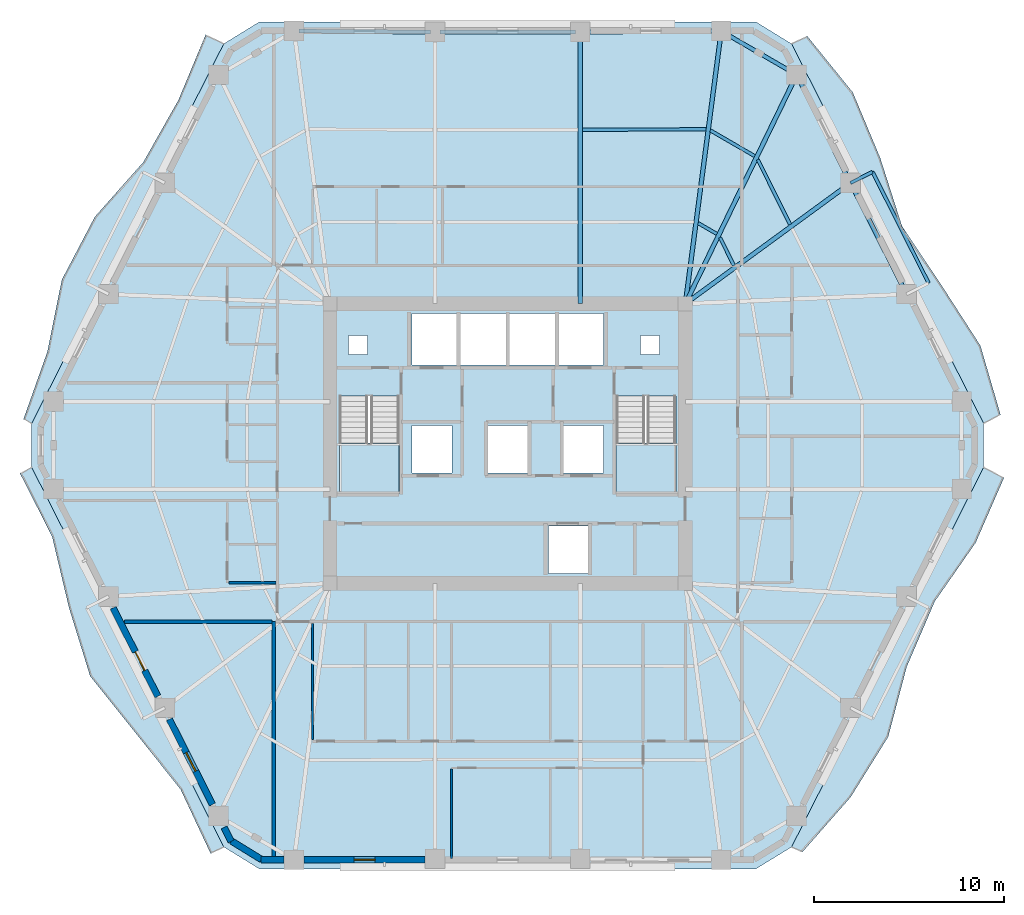
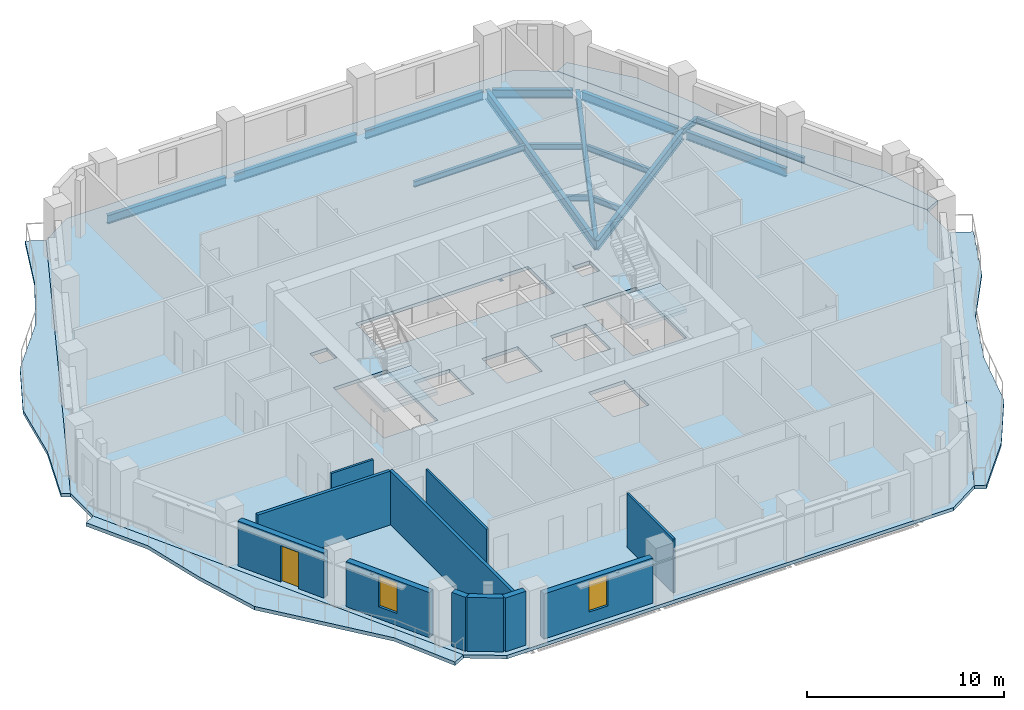
# One storey, part 3 of 12: 17 beams, 11 walls, 7 slabs, 2 windows, 1 door, 3 openings, 2 elements without a shape of their own.
"""IFC4 building model written with IfcOpenShell, lengths in metres."""

from ifc_helpers import new_model, si_unit, direction, frame, frame_2d, origin, origin_2d, place, context, subcontext, project, spatial, polyline, rectangle, i_section, outline, extrude, material, layer, layer_set, material_profile, profile_set, type_object, element, fill, aggregate, save


model = new_model("IFC4")

# Units and contexts
model_context = context("Model", 3, precision=1e-05, world=origin(), true_north=direction((0.0, 1.0)))
body_context = subcontext(model_context, "Body", "Model", "MODEL_VIEW")
ifc_project = project(units=[si_unit("LENGTHUNIT", "METRE"), si_unit("AREAUNIT", "SQUARE_METRE"), si_unit("VOLUMEUNIT", "CUBIC_METRE"), si_unit("PLANEANGLEUNIT", "RADIAN"), si_unit("MASSUNIT", "GRAM", prefix="KILO")], contexts=[model_context])

# Site, building, storey
site_placement = place(None, origin())
site = spatial("IfcSite", under=ifc_project, at=site_placement, CompositionType="ELEMENT")
building_placement = place(site_placement, origin())
building = spatial("IfcBuilding", under=site, at=building_placement, Name="Cinnabar Lancet Tower", CompositionType="ELEMENT")
storey_placement = place(building_placement, frame((0.0, 0.0, 123.25)))
storey = spatial("IfcBuildingStorey", under=building, at=storey_placement, Name="L32", CompositionType="ELEMENT", Elevation=123.25)

# Beams
ifc_material_1 = material(Name="Structural steel S355", Category="steel")
ifc_material_profile_1 = material_profile(ifc_material_1, i_section(OverallWidth=0.17138671875, OverallDepth=0.35498046875, WebThickness=0.00732421875, FlangeThickness=0.011474609375, FilletRadius=0.01025390625, at=origin_2d()), Name="UKB 356x171x51")
ifc_profile_set_1 = profile_set([ifc_material_profile_1], Name="Structural steel S355")
beam_type_1 = type_object("IfcBeamType", Name="STR-BM-JST-356", PredefinedType="JOIST", material=ifc_profile_set_1)
beam_1_placement = place(storey_placement, frame((47.300048828125, 37.455078125, -0.386962890625), z_axis=(-0.445116798807, 0.895472520751, 0.0), x_axis=(-0.895472520751, -0.445116798807, 0.0)))
element("IfcBeam", 1, at=beam_1_placement, inside=storey, type_object=beam_type_1, Name="L32 Secondary Floor Joist 29", PredefinedType="JOIST", context=body_context, shape_type="SweptSolid", body=[
    extrude(i_section(OverallWidth=0.17138671875, OverallDepth=0.35498046875, WebThickness=0.00732421875, FlangeThickness=0.011474609375, FilletRadius=0.01025390625, at=origin_2d()), origin(), (0.0, 0.0, 1.0), 3.8212890625),
])
beam_2_placement = place(storey_placement, frame((44.337890625, 35.2900390625, -0.386962890625), z_axis=(-0.445677136949, 0.895193772097, 0.0), x_axis=(-0.895193772097, -0.445677136949, 0.0)))
element("IfcBeam", 2, at=beam_2_placement, inside=storey, type_object=beam_type_1, Name="L32 Secondary Floor Joist 30", PredefinedType="JOIST", context=body_context, shape_type="SweptSolid", body=[
    extrude(i_section(OverallWidth=0.17138671875, OverallDepth=0.35498046875, WebThickness=0.00732421875, FlangeThickness=0.011474609375, FilletRadius=0.01025390625, at=origin_2d()), origin(), (0.0, 0.0, 1.0), 1.6533203125),
])
beam_3_placement = place(storey_placement, frame((45.43505859375, 41.06298828125, -0.386962890625), z_axis=(-0.865172906898, 0.501473669469, 0.0), x_axis=(-0.501473669469, -0.865172906898, 0.0)))
element("IfcBeam", 3, at=beam_3_placement, inside=storey, type_object=beam_type_1, Name="L32 Secondary Floor Joist 31", PredefinedType="JOIST", context=body_context, shape_type="SweptSolid", body=[
    extrude(i_section(OverallWidth=0.17138671875, OverallDepth=0.35498046875, WebThickness=0.00732421875, FlangeThickness=0.011474609375, FilletRadius=0.01025390625, at=origin_2d()), origin(), (0.0, 0.0, 1.0), 2.705810546875),
])
beam_4_placement = place(storey_placement, frame((43.43798828125, 36.9560546875, -0.386962890625), z_axis=(-0.865055308165, 0.501676503154, 0.0), x_axis=(-0.501676503154, -0.865055308165, 0.0)))
element("IfcBeam", 4, at=beam_4_placement, inside=storey, type_object=beam_type_1, Name="L32 Secondary Floor Joist 32", PredefinedType="JOIST", context=body_context, shape_type="SweptSolid", body=[
    extrude(i_section(OverallWidth=0.17138671875, OverallDepth=0.35498046875, WebThickness=0.00732421875, FlangeThickness=0.011474609375, FilletRadius=0.01025390625, at=origin_2d()), origin(), (0.0, 0.0, 1.0), 1.14208984375),
])
beam_5_placement = place(storey_placement, frame((42.8720703125, 42.48095703125, -0.386962890625), z_axis=(-0.999987991898, -0.004900618269, 0.0), x_axis=(0.004900618269, -0.999987991898, 0.0)))
element("IfcBeam", 5, at=beam_5_placement, inside=storey, type_object=beam_type_1, Name="L32 Secondary Floor Joist 33", PredefinedType="JOIST", context=body_context, shape_type="SweptSolid", body=[
    extrude(i_section(OverallWidth=0.17138671875, OverallDepth=0.35498046875, WebThickness=0.00732421875, FlangeThickness=0.011474609375, FilletRadius=0.01025390625, at=origin_2d()), origin(), (0.0, 0.0, 1.0), 6.526123046875),
])
ifc_material_2 = material(Name="Structural steel S355", Category="steel")
ifc_material_profile_2 = material_profile(ifc_material_2, i_section(OverallWidth=0.209228515625, OverallDepth=0.533203125, WebThickness=0.010009765625, FlangeThickness=0.015625, FilletRadius=0.0126953125, at=origin_2d()), Name="UKB 533x210x92")
ifc_profile_set_2 = profile_set([ifc_material_profile_2], Name="Structural steel S355")
beam_type_2 = type_object("IfcBeamType", Name="STR-BM-SPN-533", PredefinedType="SPANDREL", material=ifc_profile_set_2)
beam_6_placement = place(storey_placement, frame((53.339111328125, 33.9990234375, -0.47705078125), z_axis=(-0.450570325924, 0.892740937449, 0.0), x_axis=(-0.892740937449, -0.450570325924, 0.0)))
element("IfcBeam", 6, at=beam_6_placement, inside=storey, type_object=beam_type_2, Name="L32 Perimeter Spandrel 10", PredefinedType="SPANDREL", context=body_context, shape_type="SweptSolid", body=[
    extrude(i_section(OverallWidth=0.209228515625, OverallDepth=0.533203125, WebThickness=0.010009765625, FlangeThickness=0.015625, FilletRadius=0.0126953125, at=origin_2d()), origin(), (0.0, 0.0, 1.0), 6.07470703125),
])
beam_7_placement = place(storey_placement, frame((50.3779296875, 39.868896484375, -0.47705078125), z_axis=(-0.445501068635, 0.89528140707, 0.0), x_axis=(-0.89528140707, -0.445501068635, 0.0)))
element("IfcBeam", 7, at=beam_7_placement, inside=storey, type_object=beam_type_2, Name="L32 Perimeter Spandrel 11", PredefinedType="SPANDREL", context=body_context, shape_type="SweptSolid", body=[
    extrude(i_section(OverallWidth=0.209228515625, OverallDepth=0.533203125, WebThickness=0.010009765625, FlangeThickness=0.015625, FilletRadius=0.0126953125, at=origin_2d()), origin(), (0.0, 0.0, 1.0), 5.87646484375),
])
beam_8_placement = place(storey_placement, frame((47.43310546875, 45.47900390625, -0.47705078125), z_axis=(-0.865138129765, 0.5015336643, 0.0), x_axis=(-0.5015336643, -0.865138129765, 0.0)))
element("IfcBeam", 8, at=beam_8_placement, inside=storey, type_object=beam_type_2, Name="L32 Perimeter Spandrel 12", PredefinedType="SPANDREL", context=body_context, shape_type="SweptSolid", body=[
    extrude(i_section(OverallWidth=0.209228515625, OverallDepth=0.533203125, WebThickness=0.010009765625, FlangeThickness=0.015625, FilletRadius=0.0126953125, at=origin_2d()), origin(), (0.0, 0.0, 1.0), 4.10107421875),
])
beam_9_placement = place(storey_placement, frame((43.4189453125, 47.658935546875, -0.47705078125), z_axis=(-0.999975228682, -0.007038609338, 0.0), x_axis=(0.007038609338, -0.999975228682, 0.0)))
element("IfcBeam", 9, at=beam_9_placement, inside=storey, type_object=beam_type_2, Name="L32 Perimeter Spandrel 13", PredefinedType="SPANDREL", context=body_context, shape_type="SweptSolid", body=[
    extrude(i_section(OverallWidth=0.209228515625, OverallDepth=0.533203125, WebThickness=0.010009765625, FlangeThickness=0.015625, FilletRadius=0.0126953125, at=origin_2d()), origin(), (0.0, 0.0, 1.0), 6.937255859375),
])
beam_10_placement = place(storey_placement, frame((35.98193359375, 47.60791015625, -0.47705078125), z_axis=(-1.0, 0.0, 0.0), x_axis=(0.0, -1.0, 0.0)))
element("IfcBeam", 10, at=beam_10_placement, inside=storey, type_object=beam_type_2, Name="L32 Perimeter Spandrel 14", PredefinedType="SPANDREL", context=body_context, shape_type="SweptSolid", body=[
    extrude(i_section(OverallWidth=0.209228515625, OverallDepth=0.533203125, WebThickness=0.010009765625, FlangeThickness=0.015625, FilletRadius=0.0126953125, at=origin_2d()), origin(), (0.0, 0.0, 1.0), 7.163818359375),
])
beam_11_placement = place(storey_placement, frame((28.318115234375, 47.610107421875, -0.47705078125), z_axis=(-0.999975228682, 0.007038609338, 0.0), x_axis=(-0.007038609338, -0.999975228682, 0.0)))
element("IfcBeam", 11, at=beam_11_placement, inside=storey, type_object=beam_type_2, Name="L32 Perimeter Spandrel 15", PredefinedType="SPANDREL", context=body_context, shape_type="SweptSolid", body=[
    extrude(i_section(OverallWidth=0.209228515625, OverallDepth=0.533203125, WebThickness=0.010009765625, FlangeThickness=0.015625, FilletRadius=0.0126953125, at=origin_2d()), origin(), (0.0, 0.0, 1.0), 6.937255859375),
])
ifc_material_3 = material(Name="Structural steel S355", Category="steel")
ifc_material_profile_3 = material_profile(ifc_material_3, i_section(OverallWidth=0.228271484375, OverallDepth=0.607666015625, WebThickness=0.010986328125, FlangeThickness=0.017333984375, FilletRadius=0.0126953125, at=origin_2d()), Name="UKB 610x229x113")
ifc_profile_set_3 = profile_set([ifc_material_profile_3], Name="Structural steel S355")
beam_type_3 = type_object("IfcBeamType", Name="STR-BM-UKB610-113", PredefinedType="BEAM", material=ifc_profile_set_3)
beam_12_placement = place(storey_placement, frame((50.489013671875, 39.64501953125, -0.513916015625), z_axis=(-0.807297870919, -0.590144175273, 0.0), x_axis=(0.590144175273, -0.807297870919, 0.0)))
element("IfcBeam", 12, at=beam_12_placement, inside=storey, type_object=beam_type_3, Name="L32 Corner Collector Girder 3", PredefinedType="BEAM", context=body_context, shape_type="SweptSolid", body=[
    extrude(i_section(OverallWidth=0.228271484375, OverallDepth=0.607666015625, WebThickness=0.010986328125, FlangeThickness=0.017333984375, FilletRadius=0.0126953125, at=origin_2d()), origin(), (0.0, 0.0, 1.0), 10.794189453125),
])
beam_13_placement = place(storey_placement, frame((47.64892578125, 45.35400390625, -0.513916015625), z_axis=(-0.437327473227, -0.899302330232, 0.0), x_axis=(0.899302330232, -0.437327473227, 0.0)))
element("IfcBeam", 13, at=beam_13_placement, inside=storey, type_object=beam_type_3, Name="L32 Primary Floor Girder 12", PredefinedType="BEAM", context=body_context, shape_type="SweptSolid", body=[
    extrude(i_section(OverallWidth=0.228271484375, OverallDepth=0.607666015625, WebThickness=0.010986328125, FlangeThickness=0.017333984375, FilletRadius=0.0126953125, at=origin_2d()), origin(), (0.0, 0.0, 1.0), 13.431640625),
])
beam_14_placement = place(storey_placement, frame((43.6689453125, 47.660888671875, -0.513916015625), z_axis=(-0.130532420418, -0.991444041396, 0.0), x_axis=(0.991444041396, -0.130532420418, 0.0)))
element("IfcBeam", 14, at=beam_14_placement, inside=storey, type_object=beam_type_3, Name="L32 Primary Floor Girder 13", PredefinedType="BEAM", context=body_context, shape_type="SweptSolid", body=[
    extrude(i_section(OverallWidth=0.228271484375, OverallDepth=0.607666015625, WebThickness=0.010986328125, FlangeThickness=0.017333984375, FilletRadius=0.0126953125, at=origin_2d()), origin(), (0.0, 0.0, 1.0), 14.51025390625),
])
beam_15_placement = place(storey_placement, frame((36.23193359375, 47.60791015625, -0.513916015625), z_axis=(0.0, -1.0, 0.0), x_axis=(1.0, 0.0, 0.0)))
element("IfcBeam", 15, at=beam_15_placement, inside=storey, type_object=beam_type_3, Name="L32 Primary Floor Girder 14", PredefinedType="BEAM", context=body_context, shape_type="SweptSolid", body=[
    extrude(i_section(OverallWidth=0.228271484375, OverallDepth=0.607666015625, WebThickness=0.010986328125, FlangeThickness=0.017333984375, FilletRadius=0.0126953125, at=origin_2d()), origin(), (0.0, 0.0, 1.0), 14.3330078125),
])
ifc_material_4 = material(Name="Structural steel S355", Category="steel")
ifc_material_profile_4 = material_profile(ifc_material_4, i_section(OverallWidth=0.17138671875, OverallDepth=0.35498046875, WebThickness=0.00732421875, FlangeThickness=0.011474609375, FilletRadius=0.01025390625, at=origin_2d()), Name="UKB 356x171x51")
ifc_profile_set_4 = profile_set([ifc_material_profile_4], Name="Structural steel S355")
beam_type_4 = type_object("IfcBeamType", Name="STR-BM-WAV-OUT", PredefinedType="BEAM", material=ifc_profile_set_4)
beam_16_placement = place(storey_placement, frame((50.489013671875, 39.64501953125, -0.39697265625), z_axis=(0.89227592947, 0.451490493464, 0.0), x_axis=(-0.451490493464, 0.89227592947, 0.0)))
element("IfcBeam", 16, at=beam_16_placement, inside=storey, type_object=beam_type_4, Name="L32 Face 3 Balcony Outlooker B", PredefinedType="BEAM", context=body_context, shape_type="SweptSolid", body=[
    extrude(i_section(OverallWidth=0.17138671875, OverallDepth=0.35498046875, WebThickness=0.00732421875, FlangeThickness=0.011474609375, FilletRadius=0.01025390625, at=origin_2d()), origin(), (0.0, 0.0, 1.0), 1.300048828125),
])
ifc_material_5 = material(Name="Structural steel S355", Category="steel")
ifc_material_profile_5 = material_profile(ifc_material_5, i_section(OverallWidth=0.17138671875, OverallDepth=0.35498046875, WebThickness=0.00732421875, FlangeThickness=0.011474609375, FilletRadius=0.01025390625, at=origin_2d()), Name="UKB 356x171x51")
ifc_profile_set_5 = profile_set([ifc_material_profile_5], Name="Structural steel S355")
beam_type_5 = type_object("IfcBeamType", Name="STR-BM-WAV-TRIM", PredefinedType="SPANDREL", material=ifc_profile_set_5)
beam_17_placement = place(storey_placement, frame((54.612060546875, 34.363037109375, -0.39697265625), z_axis=(-0.450700828166, 0.892675060417, 0.0), x_axis=(-0.892675060417, -0.450700828166, 0.0)))
element("IfcBeam", 17, at=beam_17_placement, inside=storey, type_object=beam_type_5, Name="L32 Face 3 Balcony Edge Trimmer", PredefinedType="SPANDREL", context=body_context, shape_type="SweptSolid", body=[
    extrude(i_section(OverallWidth=0.17138671875, OverallDepth=0.35498046875, WebThickness=0.00732421875, FlangeThickness=0.011474609375, FilletRadius=0.01025390625, at=origin_2d()), origin(), (0.0, 0.0, 1.0), 6.574462890625),
])

# Stair, slab
ifc_material_6 = material(Name="Concrete C40/50", Category="concrete")
stair_type = type_object("IfcStairType", Name="ST-CORE", PredefinedType="HALF_TURN_STAIR", material=ifc_material_6)
stair_1_placement = place(storey_placement, origin())
stair_1 = element("IfcStair", 18, at=stair_1_placement, inside=storey, type_object=stair_type, Name="L32 ST-1", PredefinedType="HALF_TURN_STAIR")
ifc_material_7 = material(Name="Concrete C40/50", Category="concrete")
ifc_layer_1 = layer(ifc_material_7, 0.199951171875)
ifc_layer_set_1 = layer_set([ifc_layer_1], Name="Concrete C40/50")
slab_type_1 = type_object("IfcSlabType", Name="LANDING-CORE", PredefinedType="LANDING", material=ifc_layer_set_1)
slab_1_placement = place(storey_placement, frame((0.0, 0.0, 1.574951171875)))
slab_1 = element("IfcSlab", 19, at=slab_1_placement, type_object=slab_type_1, Name="ST-1 landing 1", PredefinedType="LANDING", context=body_context, shape_type="SweptSolid", body=[
    extrude(outline(polyline([(23.52490234375, 25.925048828125), (23.52490234375, 23.25), (26.675048828125, 23.25), (26.675048828125, 25.925048828125), (23.52490234375, 25.925048828125)])), origin(), (0.0, 0.0, 1.0), 0.199951171875),
])
aggregate(stair_1, [slab_1])

stair_2_placement = place(storey_placement, origin())
stair_2 = element("IfcStair", 20, at=stair_2_placement, inside=storey, type_object=stair_type, Name="L32 ST-2", PredefinedType="HALF_TURN_STAIR")
slab_2_placement = place(storey_placement, frame((0.0, 0.0, 1.574951171875)))
slab_2 = element("IfcSlab", 21, at=slab_2_placement, type_object=slab_type_1, Name="ST-2 landing 1", PredefinedType="LANDING", context=body_context, shape_type="SweptSolid", body=[
    extrude(outline(polyline([(38.125, 25.925048828125), (38.125, 23.25), (41.27490234375, 23.25), (41.27490234375, 25.925048828125), (38.125, 25.925048828125)])), origin(), (0.0, 0.0, 1.0), 0.199951171875),
])
aggregate(stair_2, [slab_2])

# Slabs
ifc_material_8 = material(Name="Concrete C40/50", Category="concrete")
ifc_layer_2 = layer(ifc_material_8, 0.2099609375)
ifc_layer_set_2 = layer_set([ifc_layer_2], Name="Concrete C40/50")
slab_type_2 = type_object("IfcSlabType", Name="STR-SLB-FLR-210", PredefinedType="FLOOR", material=ifc_layer_set_2)
slab_3_placement = place(storey_placement, frame((0.0, 0.0, -0.2099609375)))
element("IfcSlab", 22, at=slab_3_placement, inside=storey, type_object=slab_type_2, Name="L32 Structural Floor Slab", PredefinedType="FLOOR", context=body_context, shape_type="SweptSolid", body=[
    extrude(outline(polyline([(17.4208984375, 4.610107421875), (19.30810546875, 3.449951171875), (45.491943359375, 3.449951171875), (47.37890625, 4.610107421875), (57.512939453125, 24.639892578125), (57.512939453125, 26.9599609375), (47.37890625, 46.989990234375), (45.491943359375, 48.14990234375), (19.30810546875, 48.14990234375), (17.4208984375, 46.989990234375), (7.287109375, 26.9599609375), (7.287109375, 24.639892578125), (17.4208984375, 4.610107421875)]), holes=[polyline([(23.52490234375, 23.25), (26.675048828125, 23.25), (26.675048828125, 28.3994140625), (23.52490234375, 28.3994140625), (23.52490234375, 23.25)]), polyline([(38.125, 23.25), (41.27490234375, 23.25), (41.27490234375, 28.3994140625), (38.125, 28.3994140625), (38.125, 23.25)]), polyline([(27.35009765625, 30.050048828125), (37.449951171875, 30.050048828125), (37.449951171875, 32.75), (27.35009765625, 32.75), (27.35009765625, 30.050048828125)]), polyline([(34.550048828125, 19.050048828125), (36.64990234375, 19.050048828125), (36.64990234375, 21.550048828125), (34.550048828125, 21.550048828125), (34.550048828125, 19.050048828125)]), polyline([(27.35009765625, 24.35009765625), (29.449951171875, 24.35009765625), (29.449951171875, 26.85009765625), (27.35009765625, 26.85009765625), (27.35009765625, 24.35009765625)]), polyline([(35.35009765625, 24.35009765625), (37.449951171875, 24.35009765625), (37.449951171875, 26.85009765625), (35.35009765625, 26.85009765625), (35.35009765625, 24.35009765625)]), polyline([(31.35009765625, 24.35009765625), (33.449951171875, 24.35009765625), (33.449951171875, 26.85009765625), (31.35009765625, 26.85009765625), (31.35009765625, 24.35009765625)]), polyline([(24.0, 30.60009765625), (25.0, 30.60009765625), (25.0, 31.60009765625), (24.0, 31.60009765625), (24.0, 30.60009765625)]), polyline([(39.39990234375, 30.60009765625), (40.39990234375, 30.60009765625), (40.39990234375, 31.60009765625), (39.39990234375, 31.60009765625), (39.39990234375, 30.60009765625)])]), origin(), (0.0, 0.0, 1.0), 0.2099609375),
])
ifc_material_9 = material(Name="Concrete C45/55", Category="concrete")
ifc_layer_3 = layer(ifc_material_9, 0.219970703125)
ifc_layer_set_3 = layer_set([ifc_layer_3], Name="Concrete C45/55")
slab_type_3 = type_object("IfcSlabType", Name="STR-SLB-WAV-220", PredefinedType="FLOOR", material=ifc_layer_set_3)
slab_4_placement = place(storey_placement, frame((0.0, 0.0, -0.219970703125)))
element("IfcSlab", 23, at=slab_4_placement, inside=storey, type_object=slab_type_3, Name="L32 Face 2 Undulating Wave Balcony Slab", PredefinedType="FLOOR", context=body_context, shape_type="SweptSolid", body=[
    extrude(outline(polyline([(47.37890625, 4.610107421875), (47.93505859375, 4.327880859375), (50.487060546875, 7.22998046875), (52.47412109375, 10.41796875), (53.452880859375, 14.114990234375), (54.928955078125, 17.56201171875), (57.089111328125, 20.662109375), (58.587890625, 24.095947265625), (57.512939453125, 24.639892578125), (47.37890625, 4.610107421875)])), origin(), (0.0, 0.0, 1.0), 0.219970703125),
])
slab_5_placement = place(storey_placement, frame((0.0, 0.0, -0.219970703125)))
element("IfcSlab", 24, at=slab_5_placement, inside=storey, type_object=slab_type_3, Name="L32 Face 3 Undulating Wave Balcony Slab", PredefinedType="FLOOR", context=body_context, shape_type="SweptSolid", body=[
    extrude(outline(polyline([(57.512939453125, 26.9599609375), (58.406005859375, 27.412109375), (57.341064453125, 31.06591796875), (55.302001953125, 34.22705078125), (53.2080078125, 37.361083984375), (52.053955078125, 40.969970703125), (50.60595703125, 44.429931640625), (48.197998046875, 47.404052734375), (47.37890625, 46.989990234375), (57.512939453125, 26.9599609375)])), origin(), (0.0, 0.0, 1.0), 0.219970703125),
])
slab_6_placement = place(storey_placement, frame((0.0, 0.0, -0.219970703125)))
element("IfcSlab", 25, at=slab_6_placement, inside=storey, type_object=slab_type_3, Name="L32 Face 5 Undulating Wave Balcony Slab", PredefinedType="FLOOR", context=body_context, shape_type="SweptSolid", body=[
    extrude(outline(polyline([(17.4208984375, 46.989990234375), (16.467041015625, 47.472900390625), (15.02294921875, 44.010009765625), (13.179931640625, 40.75), (10.614990234375, 37.85498046875), (8.8779296875, 34.541015625), (8.112060546875, 30.735107421875), (6.85107421875, 27.179931640625), (7.287109375, 26.9599609375), (17.4208984375, 46.989990234375)])), origin(), (0.0, 0.0, 1.0), 0.219970703125),
])
slab_7_placement = place(storey_placement, frame((0.0, 0.0, -0.219970703125)))
element("IfcSlab", 26, at=slab_7_placement, inside=storey, type_object=slab_type_3, Name="L32 Face 6 Undulating Wave Balcony Slab", PredefinedType="FLOOR", context=body_context, shape_type="SweptSolid", body=[
    extrude(outline(polyline([(7.287109375, 24.639892578125), (6.6689453125, 24.326904296875), (8.364013671875, 20.991943359375), (9.2509765625, 17.248046875), (10.3701171875, 13.62109375), (12.760009765625, 10.637939453125), (15.14208984375, 7.64990234375), (16.72998046875, 4.260009765625), (17.4208984375, 4.610107421875), (7.287109375, 24.639892578125)])), origin(), (0.0, 0.0, 1.0), 0.219970703125),
])

# Walls
ifc_material_10 = material(Name="Fire-rated twin-frame acoustic drywall", Category="gypsum")
ifc_layer_4 = layer(ifc_material_10, 0.179931640625)
ifc_layer_set_4 = layer_set([ifc_layer_4], Name="Fire-rated twin-frame acoustic drywall")
wall_type_1 = type_object("IfcWallType", Name="ARC-WL-PARTY-180", PredefinedType="PARTITIONING", material=ifc_layer_set_4)
wall_1_placement = place(storey_placement, frame((20.050048828125, 4.10498046875, 0.0), z_axis=(0.0, 0.0, 1.0), x_axis=(0.0, 1.0, 0.0)))
element("IfcWall", 27, at=wall_1_placement, inside=storey, type_object=wall_type_1, Name="PW-L32-SPTY-200", PredefinedType="PARTITIONING", context=body_context, shape_type="SweptSolid", body=[
    extrude(rectangle(XDim=12.39501953125, YDim=0.179931640625, at=frame_2d((6.197509765625, 0.0))), origin(), (0.0, 0.0, 1.0), 3.340087890625),
])
wall_2_placement = place(storey_placement, frame((12.18505859375, 16.5, 0.0), z_axis=(0.0, 0.0, 1.0), x_axis=(1.0, 0.0, 0.0)))
element("IfcWall", 28, at=wall_2_placement, inside=storey, type_object=wall_type_1, Name="PW-L32-WSB", PredefinedType="PARTITIONING", context=body_context, shape_type="SweptSolid", body=[
    extrude(rectangle(XDim=7.77001953125, YDim=0.179931640625, at=frame_2d((3.885009765625, 0.0))), origin(), (0.0, 0.0, 1.0), 3.340087890625),
])
ifc_material_11 = material(Name="Gypsum plasterboard stud partition", Category="gypsum")
ifc_layer_5 = layer(ifc_material_11, 0.125)
ifc_layer_set_5 = layer_set([ifc_layer_5], Name="Gypsum plasterboard stud partition")
wall_type_2 = type_object("IfcWallType", Name="ARC-WL-UNIT-125", PredefinedType="PARTITIONING", material=ifc_layer_set_5)
wall_3_placement = place(storey_placement, frame((22.10009765625, 10.283935546875, 0.0), z_axis=(0.0, 0.0, 1.0), x_axis=(0.0, 1.0, 0.0)))
element("IfcWall", 29, at=wall_3_placement, inside=storey, type_object=wall_type_2, Name="UW-L32-S01-FOYE", PredefinedType="PARTITIONING", context=body_context, shape_type="SweptSolid", body=[
    extrude(rectangle(XDim=6.131103515625, YDim=0.125, at=frame_2d((3.0654296875, 0.0))), origin(), (0.0, 0.0, 1.0), 2.721923828125),
])
wall_4_placement = place(storey_placement, frame((29.43603515625, 4.014892578125, 0.0), z_axis=(0.0, 0.0, 1.0), x_axis=(0.0, 1.0, 0.0)))
element("IfcWall", 30, at=wall_4_placement, inside=storey, type_object=wall_type_2, Name="UW-L32-S01-BD2W", PredefinedType="PARTITIONING", context=body_context, shape_type="SweptSolid", body=[
    extrude(rectangle(XDim=4.69921875, YDim=0.125, at=frame_2d((2.349609375, 0.0))), origin(), (0.0, 0.0, 1.0), 3.340087890625),
])
wall_5_placement = place(storey_placement, frame((17.68505859375, 18.550048828125, 0.0), z_axis=(0.0, 0.0, 1.0), x_axis=(1.0, 0.0, 0.0)))
element("IfcWall", 31, at=wall_5_placement, inside=storey, type_object=wall_type_2, Name="UW-L32-W01-FOYN", PredefinedType="PARTITIONING", context=body_context, shape_type="SweptSolid", body=[
    extrude(rectangle(XDim=2.47998046875, YDim=0.125, at=frame_2d((1.239990234375, 0.0))), origin(), (0.0, 0.0, 1.0), 2.721923828125),
])
ifc_material_12 = material(Name="Cinnabar red clay brick", Category="masonry")
ifc_layer_6 = layer(ifc_material_12, 0.340087890625)
ifc_layer_set_6 = layer_set([ifc_layer_6], Name="Cinnabar red clay brick")
wall_type_3 = type_object("IfcWallType", Name="ENV-WL-BRK-RED-340", PredefinedType="STANDARD", material=ifc_layer_set_6)
wall_6_placement = place(storey_placement, frame((17.8291015625, 4.923095703125, 0.0), z_axis=(0.0, 0.0, 1.0), x_axis=(0.851798915137, -0.523868884523, 0.0)))
element("IfcWall", 32, at=wall_6_placement, inside=storey, type_object=wall_type_3, Name="L32 Chamfered Corner Brick Pier 1.1", PredefinedType="STANDARD", context=body_context, shape_type="SweptSolid", body=[
    extrude(rectangle(XDim=1.847900390625, YDim=0.340087890625, at=frame_2d((0.923828125, 0.0))), origin(), (0.0, 0.0, 1.0), 3.340087890625),
])
wall_7_placement = place(storey_placement, frame((19.39794921875, 3.929931640625, 0.0), z_axis=(0.0, 0.0, 1.0), x_axis=(1.0, 0.0, 0.0)))
element("IfcWall", 33, at=wall_7_placement, inside=storey, type_object=wall_type_3, Name="L32 Face 1 Masonry Bay Wall 1", PredefinedType="STANDARD", context=body_context, shape_type="SweptSolid", body=[
    extrude(rectangle(XDim=1.2041015625, YDim=0.340087890625, at=frame_2d((0.60205078125, 0.0))), origin(), (0.0, 0.0, 1.0), 3.340087890625),
])

# Wall, opening, window
wall_8_placement = place(storey_placement, frame((21.659912109375, 3.929931640625, 0.0), z_axis=(0.0, 0.0, 1.0), x_axis=(1.0, 0.0, 0.0)))
wall_8 = element("IfcWall", 34, at=wall_8_placement, inside=storey, type_object=wall_type_3, Name="L32 Face 1 Masonry Bay Wall 2", PredefinedType="STANDARD", context=body_context, shape_type="SweptSolid", body=[
    extrude(rectangle(XDim=6.379150390625, YDim=0.340087890625, at=frame_2d((3.189453125, 0.0))), origin(), (0.0, 0.0, 1.0), 2.797119140625),
])
opening_1_placement = place(wall_8_placement, frame((2.639892578125, 0.0, 0.75)))
opening_1 = element("IfcOpeningElement", 35, at=opening_1_placement, cuts=wall_8, Name="Opening WN-04", PredefinedType="OPENING", context=body_context, shape_type="SweptSolid", body=[
    extrude(rectangle(XDim=1.10009765625, YDim=1.89697265625, at=frame_2d((0.550048828125, 0.948486328125))), frame((0.0, 0.179931640625, 0.0), z_axis=(0.0, -1.0, 0.0), x_axis=(1.0, 0.0, 0.0)), (0.0, 0.0, 1.0), 0.360107421875),
])
ifc_material_13 = material(Name="Thermally broken bronze-anodized aluminium tall lancet window", Category="aluminium")
window_type = type_object("IfcWindowType", Name="ENV-WN-LANCET-1100", PartitioningType="SINGLE_PANEL", PredefinedType="WINDOW", material=ifc_material_13)
window_1_placement = place(opening_1_placement, origin())
window_1 = element("IfcWindow", 36, at=window_1_placement, inside=storey, type_object=window_type, Name="L32 Face 1 Gothic Lancet Window 2", OverallHeight=1.89697265625, OverallWidth=1.10009765625, PartitioningType="SINGLE_PANEL", PredefinedType="WINDOW", context=body_context, shape_type="SweptSolid", body=[
    extrude(rectangle(XDim=1.10009765625, YDim=1.89697265625, at=frame_2d((0.550048828125, 0.948486328125))), frame((0.0, 0.030029296875, 0.0), z_axis=(0.0, -1.0, 0.0), x_axis=(1.0, 0.0, 0.0)), (0.0, 0.0, 1.0), 0.06005859375),
])
fill(opening_1, window_1)

# Wall, opening, door
wall_9_placement = place(storey_placement, frame((11.580078125, 17.218017578125, 0.0), z_axis=(0.0, 0.0, 1.0), x_axis=(0.451567731634, -0.892236842855, 0.0)))
wall_9 = element("IfcWall", 37, at=wall_9_placement, inside=storey, type_object=wall_type_3, Name="L32 Face 6 Masonry Bay Wall 3", PredefinedType="STANDARD", context=body_context, shape_type="SweptSolid", body=[
    extrude(rectangle(XDim=5.219482421875, YDim=0.340087890625, at=frame_2d((2.60986328125, 0.0))), origin(), (0.0, 0.0, 1.0), 2.797119140625),
])
opening_2_placement = place(wall_9_placement, frame((2.5869140625, 0.0, 0.0)))
opening_2 = element("IfcOpeningElement", 38, at=opening_2_placement, cuts=wall_9, Name="Opening TD-01", PredefinedType="OPENING", context=body_context, shape_type="SweptSolid", body=[
    extrude(rectangle(XDim=1.10009765625, YDim=2.25, at=frame_2d((0.550048828125, 1.125))), frame((0.0, 0.179931640625, 0.0), z_axis=(0.0, -1.0, 0.0), x_axis=(1.0, 0.0, 0.0)), (0.0, 0.0, 1.0), 0.360107421875),
])
ifc_material_14 = material(Name="Thermally broken low-E glazed balcony terrace door", Category="wood")
door_type = type_object("IfcDoorType", Name="ARC-DR-BALC", OperationType="NOTDEFINED", PredefinedType="DOOR", material=ifc_material_14)
door_placement = place(opening_2_placement, origin())
door = element("IfcDoor", 39, at=door_placement, inside=storey, type_object=door_type, Name="L32 Face 6 Glazed Terrace Door", OperationType="SINGLE_SWING_RIGHT", OverallHeight=2.25, OverallWidth=1.10009765625, PredefinedType="DOOR", context=body_context, shape_type="SweptSolid", body=[
    extrude(rectangle(XDim=1.10009765625, YDim=2.25, at=frame_2d((0.550048828125, 1.125))), frame((0.0, 0.02490234375, 0.0), z_axis=(0.0, -1.0, 0.0), x_axis=(1.0, 0.0, 0.0)), (0.0, 0.0, 1.0), 0.050048828125),
])
fill(opening_2, door)

# Wall, opening, window
wall_10_placement = place(storey_placement, frame((14.549072265625, 11.34912109375, 0.0), z_axis=(0.0, 0.0, 1.0), x_axis=(0.451548465867, -0.892246593142, 0.0)))
wall_10 = element("IfcWall", 40, at=wall_10_placement, inside=storey, type_object=wall_type_3, Name="L32 Face 6 Masonry Bay Wall 4", PredefinedType="STANDARD", context=body_context, shape_type="SweptSolid", body=[
    extrude(rectangle(XDim=5.040283203125, YDim=0.340087890625, at=frame_2d((2.52001953125, 0.0))), origin(), (0.0, 0.0, 1.0), 2.797119140625),
])
opening_3_placement = place(wall_10_placement, frame((1.969970703125, 0.0, 0.75)))
opening_3 = element("IfcOpeningElement", 41, at=opening_3_placement, cuts=wall_10, Name="Opening WN-04", PredefinedType="OPENING", context=body_context, shape_type="SweptSolid", body=[
    extrude(rectangle(XDim=1.10009765625, YDim=1.89697265625, at=frame_2d((0.550048828125, 0.948486328125))), frame((0.0, 0.179931640625, 0.0), z_axis=(0.0, -1.0, 0.0), x_axis=(1.0, 0.0, 0.0)), (0.0, 0.0, 1.0), 0.360107421875),
])
window_2_placement = place(opening_3_placement, origin())
window_2 = element("IfcWindow", 42, at=window_2_placement, inside=storey, type_object=window_type, Name="L32 Face 6 Gothic Lancet Window 4", OverallHeight=1.89697265625, OverallWidth=1.10009765625, PartitioningType="SINGLE_PANEL", PredefinedType="WINDOW", context=body_context, shape_type="SweptSolid", body=[
    extrude(rectangle(XDim=1.10009765625, YDim=1.89697265625, at=frame_2d((0.550048828125, 0.948486328125))), frame((0.0, 0.030029296875, 0.0), z_axis=(0.0, -1.0, 0.0), x_axis=(1.0, 0.0, 0.0)), (0.0, 0.0, 1.0), 0.06005859375),
])
fill(opening_3, window_2)

# Wall
wall_11_placement = place(storey_placement, frame((17.43798828125, 5.639892578125, 0.0), z_axis=(0.0, 0.0, 1.0), x_axis=(0.45172514337, -0.892157158155, 0.0)))
element("IfcWall", 43, at=wall_11_placement, inside=storey, type_object=wall_type_3, Name="L32 Face 6 Masonry Bay Wall 5", PredefinedType="STANDARD", context=body_context, shape_type="SweptSolid", body=[
    extrude(rectangle(XDim=0.821533203125, YDim=0.340087890625, at=frame_2d((0.41064453125, 0.0))), origin(), (0.0, 0.0, 1.0), 3.340087890625),
])

save(model, "model.ifc")
